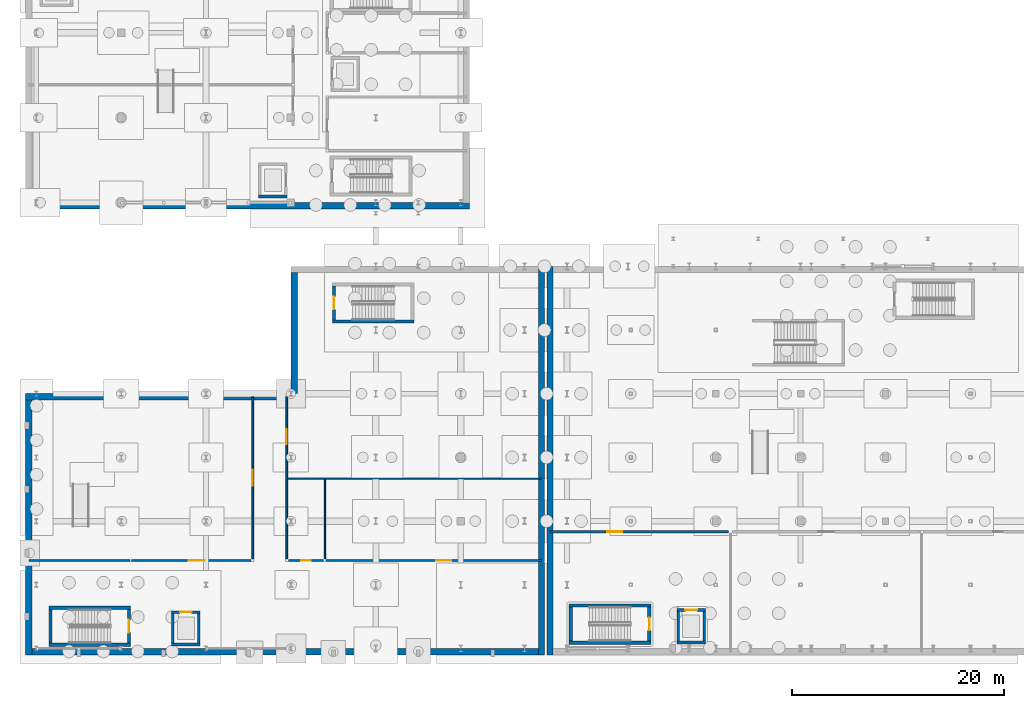
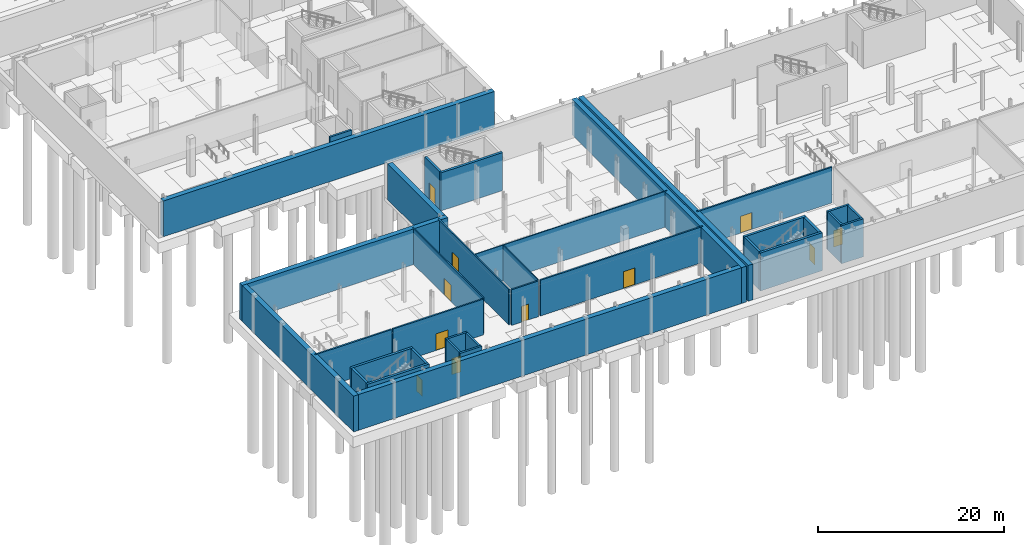
# One storey, part 23 of 47: 35 walls, 11 doors, 11 openings.
"""IFC4 building model written with IfcOpenShell, lengths in metres."""

from ifc_helpers import new_model, si_unit, direction, frame, frame_2d, origin, place, context, subcontext, project, spatial, rectangle, extrude, material, layer, layer_set, type_object, element, fill, save


model = new_model("IFC4")

# Units and contexts
model_context = context("Model", 3, precision=1e-05, world=origin(), true_north=direction((0.0, 1.0)))
body_context = subcontext(model_context, "Body", "Model", "MODEL_VIEW")
ifc_project = project(units=[si_unit("LENGTHUNIT", "METRE"), si_unit("AREAUNIT", "SQUARE_METRE"), si_unit("VOLUMEUNIT", "CUBIC_METRE"), si_unit("PLANEANGLEUNIT", "RADIAN"), si_unit("MASSUNIT", "GRAM", prefix="KILO")], contexts=[model_context])

# Site, building, storey
site_placement = place(None, origin())
site = spatial("IfcSite", under=ifc_project, at=site_placement, CompositionType="ELEMENT")
building_placement = place(site_placement, origin())
building = spatial("IfcBuilding", under=site, at=building_placement, Name="Cymarion Research Institute", CompositionType="ELEMENT")
storey_placement = place(building_placement, frame((0.0, 0.0, -5.0)))
storey = spatial("IfcBuildingStorey", under=building, at=storey_placement, Name="B1", CompositionType="ELEMENT", Elevation=-5.0)

# Walls
ifc_material_1 = material(Name="Concrete C35/45", Category="concrete")
ifc_layer_1 = layer(ifc_material_1, 0.60009765625)
ifc_layer_set_1 = layer_set([ifc_layer_1], Name="Concrete C35/45")
wall_type_1 = type_object("IfcWallType", Name="EXTERIOR WALL EW-RET600 600MM", PredefinedType="SHEAR", material=ifc_layer_set_1)
wall_1_placement = place(storey_placement, frame((55.0, 41.5, 0.0), z_axis=(0.0, 0.0, 1.0), x_axis=(0.0, -1.0, 0.0)))
element("IfcWall", 1, at=wall_1_placement, inside=storey, type_object=wall_type_1, Name="B1 V2 exterior wall EW-RET600 #21", PredefinedType="SHEAR", context=body_context, shape_type="SweptSolid", body=[
    extrude(rectangle(XDim=36.60009765625, YDim=0.60009765625, at=frame_2d((18.300048828125, 0.0))), origin(), (0.0, 0.0, 1.0), 4.699951171875),
])
wall_2_placement = place(storey_placement, frame((6.181884765625, 5.199951171875, 0.0), z_axis=(0.0, 0.0, 1.0), x_axis=(1.0, 0.0, 0.0)))
element("IfcWall", 2, at=wall_2_placement, inside=storey, type_object=wall_type_1, Name="B1 V3 exterior wall EW-RET600 #22", PredefinedType="SHEAR", context=body_context, shape_type="SweptSolid", body=[
    extrude(rectangle(XDim=47.736083984375, YDim=0.60009765625, at=frame_2d((23.8681640625, 0.0))), origin(), (0.0, 0.0, 1.0), 4.699951171875),
])
wall_3_placement = place(storey_placement, frame((54.199951171875, 4.89990234375, 0.0), z_axis=(0.0, 0.0, 1.0), x_axis=(0.0, 1.0, 0.0)))
element("IfcWall", 3, at=wall_3_placement, inside=storey, type_object=wall_type_1, Name="B1 V3 exterior wall EW-RET600 #23", PredefinedType="SHEAR", context=body_context, shape_type="SweptSolid", body=[
    extrude(rectangle(XDim=36.60009765625, YDim=0.60009765625, at=frame_2d((18.300048828125, 0.0))), origin(), (0.0, 0.0, 1.0), 4.699951171875),
])
wall_4_placement = place(storey_placement, frame((30.89990234375, 40.91796875, 0.0), z_axis=(0.0, 0.0, 1.0), x_axis=(0.0, -1.0, 0.0)))
element("IfcWall", 4, at=wall_4_placement, inside=storey, type_object=wall_type_1, Name="B1 V3 exterior wall EW-RET600 #25", PredefinedType="SHEAR", context=body_context, shape_type="SweptSolid", body=[
    extrude(rectangle(XDim=11.41796875, YDim=0.60009765625, at=frame_2d((5.708984375, 0.0))), origin(), (0.0, 0.0, 1.0), 4.699951171875),
])
wall_5_placement = place(storey_placement, frame((31.181884765625, 29.199951171875, 0.0), z_axis=(0.0, 0.0, 1.0), x_axis=(-1.0, 0.0, 0.0)))
element("IfcWall", 5, at=wall_5_placement, inside=storey, type_object=wall_type_1, Name="B1 V3 exterior wall EW-RET600 #26", PredefinedType="SHEAR", context=body_context, shape_type="SweptSolid", body=[
    extrude(rectangle(XDim=25.581787109375, YDim=0.60009765625, at=frame_2d((12.791015625, 0.0))), origin(), (0.0, 0.0, 1.0), 4.699951171875),
])
wall_6_placement = place(storey_placement, frame((5.89990234375, 28.91796875, 0.0), z_axis=(0.0, 0.0, 1.0), x_axis=(0.0, -1.0, 0.0)))
element("IfcWall", 6, at=wall_6_placement, inside=storey, type_object=wall_type_1, Name="B1 V3 exterior wall EW-RET600 #27", PredefinedType="SHEAR", context=body_context, shape_type="SweptSolid", body=[
    extrude(rectangle(XDim=24.01806640625, YDim=0.60009765625, at=frame_2d((12.009033203125, 0.0))), origin(), (0.0, 0.0, 1.0), 4.699951171875),
])
wall_7_placement = place(storey_placement, frame((6.181884765625, 47.199951171875, 0.0), z_axis=(0.0, 0.0, 1.0), x_axis=(1.0, 0.0, 0.0)))
element("IfcWall", 7, at=wall_7_placement, inside=storey, type_object=wall_type_1, Name="B1 V4 exterior wall EW-RET600 #28", PredefinedType="SHEAR", context=body_context, shape_type="SweptSolid", body=[
    extrude(rectangle(XDim=41.218017578125, YDim=0.60009765625, at=frame_2d((20.60888671875, 0.0))), origin(), (0.0, 0.0, 1.0), 4.699951171875),
])

# Wall, opening, door
ifc_material_2 = material(Name="Gypsum acoustic double-stud partition", Category="gypsum")
ifc_layer_2 = layer(ifc_material_2, 0.14990234375)
ifc_layer_set_2 = layer_set([ifc_layer_2], Name="Gypsum acoustic double-stud partition")
wall_type_2 = type_object("IfcWallType", Name="INTERIOR PARTITION IW-AC150 150MM", PredefinedType="PARTITIONING", material=ifc_layer_set_2)
wall_8_placement = place(storey_placement, frame((30.199951171875, 13.93994140625, 0.0), z_axis=(0.0, 0.0, 1.0), x_axis=(0.0, 1.0, 0.0)))
wall_8 = element("IfcWall", 8, at=wall_8_placement, inside=storey, type_object=wall_type_2, Name="B1 V3 interior partition IW-AC150 #22", PredefinedType="PARTITIONING", context=body_context, shape_type="SweptSolid", body=[
    extrude(rectangle(XDim=15.255126953125, YDim=0.14990234375, at=frame_2d((7.62744140625, 0.0))), origin(), (0.0, 0.0, 1.0), 4.699951171875),
])
opening_1_placement = place(wall_8_placement, frame((10.806884765625, 0.0, 0.0)))
opening_1 = element("IfcOpeningElement", 9, at=opening_1_placement, cuts=wall_8, Name="Opening D-B1-020", PredefinedType="OPENING", context=body_context, shape_type="SweptSolid", body=[
    extrude(rectangle(XDim=1.39990234375, YDim=2.199951171875, at=frame_2d((0.699951171875, 1.10009765625))), frame((0.0, 0.0849609375, 0.0), z_axis=(0.0, -1.0, 0.0), x_axis=(1.0, 0.0, 0.0)), (0.0, 0.0, 1.0), 0.169921875),
])
ifc_material_3 = material(Name="Flush acoustic timber/steel door assembly", Category="steel")
door_type_1 = type_object("IfcDoorType", Name="ACOUSTIC PLANT ROOM DOUBLE DOOR DT-PL140 1400X2200", OperationType="DOUBLE_DOOR_SINGLE_SWING", PredefinedType="DOOR", material=ifc_material_3)
door_1_placement = place(opening_1_placement, origin())
door_1 = element("IfcDoor", 10, at=door_1_placement, inside=storey, type_object=door_type_1, Name="B1 B1 V3 Plant door D-B1-020", OperationType="DOUBLE_DOOR_SINGLE_SWING", OverallHeight=2.199951171875, OverallWidth=1.39990234375, PredefinedType="DOOR", context=body_context, shape_type="SweptSolid", body=[
    extrude(rectangle(XDim=1.39990234375, YDim=2.199951171875, at=frame_2d((0.699951171875, 1.10009765625))), frame((0.0, 0.02490234375, 0.0), z_axis=(0.0, -1.0, 0.0), x_axis=(1.0, 0.0, 0.0)), (0.0, 0.0, 1.0), 0.050048828125),
])
fill(opening_1, door_1)

wall_9_placement = place(storey_placement, frame((27.0, 13.93994140625, 0.0), z_axis=(0.0, 0.0, 1.0), x_axis=(0.0, 1.0, 0.0)))
wall_9 = element("IfcWall", 11, at=wall_9_placement, inside=storey, type_object=wall_type_2, Name="B1 V3 interior partition IW-AC150 #23", PredefinedType="PARTITIONING", context=body_context, shape_type="SweptSolid", body=[
    extrude(rectangle(XDim=15.255126953125, YDim=0.14990234375, at=frame_2d((7.62744140625, 0.0))), origin(), (0.0, 0.0, 1.0), 4.699951171875),
])
opening_2_placement = place(wall_9_placement, frame((6.876953125, 0.0, 0.0)))
opening_2 = element("IfcOpeningElement", 12, at=opening_2_placement, cuts=wall_9, Name="Opening D-B1-021", PredefinedType="OPENING", context=body_context, shape_type="SweptSolid", body=[
    extrude(rectangle(XDim=1.5, YDim=2.199951171875, at=frame_2d((0.75, 1.10009765625))), frame((0.0, 0.0849609375, 0.0), z_axis=(0.0, -1.0, 0.0), x_axis=(1.0, 0.0, 0.0)), (0.0, 0.0, 1.0), 0.169921875),
])
door_type_2 = type_object("IfcDoorType", Name="LABORATORY EQUIPMENT DOUBLE DOOR DT-LB150 1500X2200", OperationType="DOUBLE_DOOR_SINGLE_SWING", PredefinedType="DOOR", material=ifc_material_3)
door_2_placement = place(opening_2_placement, origin())
door_2 = element("IfcDoor", 13, at=door_2_placement, inside=storey, type_object=door_type_2, Name="B1 Workshop East door D-B1-021", OperationType="DOUBLE_DOOR_SINGLE_SWING", OverallHeight=2.199951171875, OverallWidth=1.5, PredefinedType="DOOR", context=body_context, shape_type="SweptSolid", body=[
    extrude(rectangle(XDim=1.5, YDim=2.199951171875, at=frame_2d((0.75, 1.10009765625))), frame((0.0, 0.02490234375, 0.0), z_axis=(0.0, -1.0, 0.0), x_axis=(1.0, 0.0, 0.0)), (0.0, 0.0, 1.0), 0.050048828125),
])
fill(opening_2, door_2)

ifc_material_4 = material(Name="Autoclaved aerated masonry block AAC-4", Category="masonry")
ifc_layer_3 = layer(ifc_material_4, 0.199951171875)
ifc_layer_set_3 = layer_set([ifc_layer_3], Name="Autoclaved aerated masonry block AAC-4")
wall_type_3 = type_object("IfcWallType", Name="INTERIOR PARTITION IW-FR200 200MM", PredefinedType="SOLIDWALL", material=ifc_layer_set_3)
wall_10_placement = place(storey_placement, frame((55.0048828125, 16.5, 0.0), z_axis=(0.0, 0.0, 1.0), x_axis=(1.0, 0.0, 0.0)))
wall_10 = element("IfcWall", 14, at=wall_10_placement, inside=storey, type_object=wall_type_3, Name="B1 V2 interior partition IW-FR200 #13", PredefinedType="SOLIDWALL", context=body_context, shape_type="SweptSolid", body=[
    extrude(rectangle(XDim=16.795166015625, YDim=0.199951171875, at=frame_2d((8.3974609375, 0.0))), origin(), (0.0, 0.0, 1.0), 4.699951171875),
])
opening_3_placement = place(wall_10_placement, frame((5.387939453125, 0.0, 0.0)))
opening_3 = element("IfcOpeningElement", 15, at=opening_3_placement, cuts=wall_10, Name="Opening D-B1-014", PredefinedType="OPENING", context=body_context, shape_type="SweptSolid", body=[
    extrude(rectangle(XDim=1.39990234375, YDim=2.199951171875, at=frame_2d((0.699951171875, 1.10009765625))), frame((0.0, 0.10986328125, 0.0), z_axis=(0.0, -1.0, 0.0), x_axis=(1.0, 0.0, 0.0)), (0.0, 0.0, 1.0), 0.219970703125),
])
door_3_placement = place(opening_3_placement, frame((1.39990234375, 0.0, 0.0), z_axis=(0.0, 0.0, 1.0), x_axis=(-1.0, 0.0, 0.0)))
door_3 = element("IfcDoor", 16, at=door_3_placement, inside=storey, type_object=door_type_1, Name="B1 MEP Plant door D-B1-014", OperationType="DOUBLE_DOOR_SINGLE_SWING", OverallHeight=2.199951171875, OverallWidth=1.39990234375, PredefinedType="DOOR", context=body_context, shape_type="SweptSolid", body=[
    extrude(rectangle(XDim=1.39990234375, YDim=2.199951171875, at=frame_2d((0.699951171875, 1.10009765625))), frame((0.0, 0.02490234375, 0.0), z_axis=(0.0, -1.0, 0.0), x_axis=(1.0, 0.0, 0.0)), (0.0, 0.0, 1.0), 0.050048828125),
])
fill(opening_3, door_3)

wall_11_placement = place(storey_placement, frame((15.60009765625, 13.800048828125, 0.0), z_axis=(0.0, 0.0, 1.0), x_axis=(1.0, 0.0, 0.0)))
wall_11 = element("IfcWall", 17, at=wall_11_placement, inside=storey, type_object=wall_type_3, Name="B1 V3 interior partition IW-FR200 #18", PredefinedType="SOLIDWALL", context=body_context, shape_type="SweptSolid", body=[
    extrude(rectangle(XDim=11.25, YDim=0.199951171875, at=frame_2d((5.625, 0.0))), origin(), (0.0, 0.0, 1.0), 4.699951171875),
])
opening_4_placement = place(wall_11_placement, frame((5.363037109375, 0.0, 0.0)))
opening_4 = element("IfcOpeningElement", 18, at=opening_4_placement, cuts=wall_11, Name="Opening D-B1-017", PredefinedType="OPENING", context=body_context, shape_type="SweptSolid", body=[
    extrude(rectangle(XDim=1.5, YDim=2.199951171875, at=frame_2d((0.75, 1.10009765625))), frame((0.0, 0.10986328125, 0.0), z_axis=(0.0, -1.0, 0.0), x_axis=(1.0, 0.0, 0.0)), (0.0, 0.0, 1.0), 0.219970703125),
])
door_4_placement = place(opening_4_placement, origin())
door_4 = element("IfcDoor", 19, at=door_4_placement, inside=storey, type_object=door_type_2, Name="B1 Workshop door D-B1-017", OperationType="DOUBLE_DOOR_SINGLE_SWING", OverallHeight=2.199951171875, OverallWidth=1.5, PredefinedType="DOOR", context=body_context, shape_type="SweptSolid", body=[
    extrude(rectangle(XDim=1.5, YDim=2.199951171875, at=frame_2d((0.75, 1.10009765625))), frame((0.0, 0.02490234375, 0.0), z_axis=(0.0, -1.0, 0.0), x_axis=(1.0, 0.0, 0.0)), (0.0, 0.0, 1.0), 0.050048828125),
])
fill(opening_4, door_4)

wall_12_placement = place(storey_placement, frame((30.35009765625, 13.800048828125, 0.0), z_axis=(0.0, 0.0, 1.0), x_axis=(1.0, 0.0, 0.0)))
wall_12 = element("IfcWall", 20, at=wall_12_placement, inside=storey, type_object=wall_type_3, Name="B1 V3 interior partition IW-FR200 #19", PredefinedType="SOLIDWALL", context=body_context, shape_type="SweptSolid", body=[
    extrude(rectangle(XDim=3.329833984375, YDim=0.199951171875, at=frame_2d((1.6650390625, 0.0))), origin(), (0.0, 0.0, 1.0), 4.699951171875),
])
opening_5_placement = place(wall_12_placement, frame((1.215087890625, 0.0, 0.0)))
opening_5 = element("IfcOpeningElement", 21, at=opening_5_placement, cuts=wall_12, Name="Opening D-B1-018", PredefinedType="OPENING", context=body_context, shape_type="SweptSolid", body=[
    extrude(rectangle(XDim=0.89990234375, YDim=2.10009765625, at=frame_2d((0.449951171875, 1.050048828125))), frame((0.0, 0.10986328125, 0.0), z_axis=(0.0, -1.0, 0.0), x_axis=(1.0, 0.0, 0.0)), (0.0, 0.0, 1.0), 0.219970703125),
])
door_type_3 = type_object("IfcDoorType", Name="ACCESSIBLE RESTROOM DOOR DT-WC090 900X2100", OperationType="NOTDEFINED", PredefinedType="DOOR", material=ifc_material_3)
door_5_placement = place(opening_5_placement, origin())
door_5 = element("IfcDoor", 22, at=door_5_placement, inside=storey, type_object=door_type_3, Name="B1 B1 V3 WC door D-B1-018", OperationType="SINGLE_SWING_LEFT", OverallHeight=2.10009765625, OverallWidth=0.89990234375, PredefinedType="DOOR", context=body_context, shape_type="SweptSolid", body=[
    extrude(rectangle(XDim=0.89990234375, YDim=2.10009765625, at=frame_2d((0.449951171875, 1.050048828125))), frame((0.0, 0.02490234375, 0.0), z_axis=(0.0, -1.0, 0.0), x_axis=(1.0, 0.0, 0.0)), (0.0, 0.0, 1.0), 0.050048828125),
])
fill(opening_5, door_5)

wall_13_placement = place(storey_placement, frame((33.919921875, 13.800048828125, 0.0), z_axis=(0.0, 0.0, 1.0), x_axis=(1.0, 0.0, 0.0)))
wall_13 = element("IfcWall", 23, at=wall_13_placement, inside=storey, type_object=wall_type_3, Name="B1 V3 interior partition IW-FR200 #20", PredefinedType="SOLIDWALL", context=body_context, shape_type="SweptSolid", body=[
    extrude(rectangle(XDim=20.275146484375, YDim=0.199951171875, at=frame_2d((10.1376953125, 0.0))), origin(), (0.0, 0.0, 1.0), 4.699951171875),
])
opening_6_placement = place(wall_13_placement, frame((10.381103515625, 0.0, 0.0)))
opening_6 = element("IfcOpeningElement", 24, at=opening_6_placement, cuts=wall_13, Name="Opening D-B1-019", PredefinedType="OPENING", context=body_context, shape_type="SweptSolid", body=[
    extrude(rectangle(XDim=1.39990234375, YDim=2.199951171875, at=frame_2d((0.699951171875, 1.10009765625))), frame((0.0, 0.10986328125, 0.0), z_axis=(0.0, -1.0, 0.0), x_axis=(1.0, 0.0, 0.0)), (0.0, 0.0, 1.0), 0.219970703125),
])
door_6_placement = place(opening_6_placement, origin())
door_6 = element("IfcDoor", 25, at=door_6_placement, inside=storey, type_object=door_type_1, Name="B1 Stage Trap door D-B1-019", OperationType="DOUBLE_DOOR_SINGLE_SWING", OverallHeight=2.199951171875, OverallWidth=1.39990234375, PredefinedType="DOOR", context=body_context, shape_type="SweptSolid", body=[
    extrude(rectangle(XDim=1.39990234375, YDim=2.199951171875, at=frame_2d((0.699951171875, 1.10009765625))), frame((0.0, 0.02490234375, 0.0), z_axis=(0.0, -1.0, 0.0), x_axis=(1.0, 0.0, 0.0)), (0.0, 0.0, 1.0), 0.050048828125),
])
fill(opening_6, door_6)

# Walls
wall_14_placement = place(storey_placement, frame((5.905029296875, 13.800048828125, 0.0), z_axis=(0.0, 0.0, 1.0), x_axis=(1.0, 0.0, 0.0)))
element("IfcWall", 26, at=wall_14_placement, inside=storey, type_object=wall_type_3, Name="B1 V3 interior partition IW-FR200 #21", PredefinedType="SOLIDWALL", context=body_context, shape_type="SweptSolid", body=[
    extrude(rectangle(XDim=9.544921875, YDim=0.199951171875, at=frame_2d((4.7724609375, 0.0))), origin(), (0.0, 0.0, 1.0), 4.699951171875),
])
ifc_material_5 = material(Name="Service riser shaft wall", Category="gypsum")
ifc_layer_4 = layer(ifc_material_5, 0.1201171875)
ifc_layer_set_4 = layer_set([ifc_layer_4], Name="Service riser shaft wall")
wall_type_4 = type_object("IfcWallType", Name="INTERIOR PARTITION IW-SH120 120MM", PredefinedType="PARTITIONING", material=ifc_layer_set_4)
wall_15_placement = place(storey_placement, frame((30.35009765625, 21.5, 0.0), z_axis=(0.0, 0.0, 1.0), x_axis=(1.0, 0.0, 0.0)))
element("IfcWall", 27, at=wall_15_placement, inside=storey, type_object=wall_type_4, Name="B1 V3 interior partition IW-SH120 #16", PredefinedType="PARTITIONING", context=body_context, shape_type="SweptSolid", body=[
    extrude(rectangle(XDim=23.844970703125, YDim=0.1201171875, at=frame_2d((11.92236328125, 0.0))), origin(), (0.0, 0.0, 1.0), 4.699951171875),
])
wall_16_placement = place(storey_placement, frame((33.800048828125, 13.93994140625, 0.0), z_axis=(0.0, 0.0, 1.0), x_axis=(0.0, 1.0, 0.0)))
element("IfcWall", 28, at=wall_16_placement, inside=storey, type_object=wall_type_4, Name="B1 V3 interior partition IW-SH120 #17", PredefinedType="PARTITIONING", context=body_context, shape_type="SweptSolid", body=[
    extrude(rectangle(XDim=7.43994140625, YDim=0.1201171875, at=frame_2d((3.719970703125, 0.0))), origin(), (0.0, 0.0, 1.0), 4.699951171875),
])
ifc_material_6 = material(Name="Concrete C40/50", Category="concrete")
ifc_layer_5 = layer(ifc_material_6, 0.25)
ifc_layer_set_5 = layer_set([ifc_layer_5], Name="Concrete C40/50")
wall_type_5 = type_object("IfcWallType", Name="REINFORCED CONCRETE CORE WALL CW-SH250 250MM", PredefinedType="SHEAR", material=ifc_layer_set_5)
wall_17_placement = place(storey_placement, frame((66.949951171875, 6.074951171875, 0.0), z_axis=(0.0, 0.0, 1.0), x_axis=(1.0, 0.0, 0.0)))
element("IfcWall", 29, at=wall_17_placement, inside=storey, type_object=wall_type_5, Name="B1 LSH-LP2-B1 south core wall", PredefinedType="SHEAR", context=body_context, shape_type="SweptSolid", body=[
    extrude(rectangle(XDim=2.699951171875, YDim=0.25, at=frame_2d((1.35009765625, 0.0))), origin(), (0.0, 0.0, 1.0), 5.0),
])

# Wall, opening, door
wall_18_placement = place(storey_placement, frame((69.64990234375, 9.125, 0.0), z_axis=(0.0, 0.0, 1.0), x_axis=(-1.0, 0.0, 0.0)))
wall_18 = element("IfcWall", 30, at=wall_18_placement, inside=storey, type_object=wall_type_5, Name="B1 LSH-LP2-B1 north core wall", PredefinedType="SHEAR", context=body_context, shape_type="SweptSolid", body=[
    extrude(rectangle(XDim=2.699951171875, YDim=0.25, at=frame_2d((1.35009765625, 0.0))), origin(), (0.0, 0.0, 1.0), 5.0),
])
opening_7_placement = place(wall_18_placement, frame((0.800048828125, 0.0, 0.0)))
opening_7 = element("IfcOpeningElement", 31, at=opening_7_placement, cuts=wall_18, Name="Opening LD-LP2-B1", PredefinedType="OPENING", context=body_context, shape_type="SweptSolid", body=[
    extrude(rectangle(XDim=1.10009765625, YDim=2.14990234375, at=frame_2d((0.550048828125, 1.074951171875))), frame((0.0, 0.135009765625, 0.0), z_axis=(0.0, -1.0, 0.0), x_axis=(1.0, 0.0, 0.0)), (0.0, 0.0, 1.0), 0.27001953125),
])
ifc_material_7 = material(Name="Fire-rated insulated steel door assembly", Category="steel")
door_type_4 = type_object("IfcDoorType", Name="SLIDING LIFT LANDING DOOR DT-LD110 1100X2150", OperationType="DOUBLE_DOOR_SLIDING", PredefinedType="DOOR", material=ifc_material_7)
door_7_placement = place(opening_7_placement, origin())
door_7 = element("IfcDoor", 32, at=door_7_placement, inside=storey, type_object=door_type_4, Name="Lift LP2 landing door B1", OperationType="DOUBLE_DOOR_SLIDING", OverallHeight=2.14990234375, OverallWidth=1.10009765625, PredefinedType="DOOR", context=body_context, shape_type="SweptSolid", body=[
    extrude(rectangle(XDim=1.10009765625, YDim=2.14990234375, at=frame_2d((0.550048828125, 1.074951171875))), frame((0.0, 0.02490234375, 0.0), z_axis=(0.0, -1.0, 0.0), x_axis=(1.0, 0.0, 0.0)), (0.0, 0.0, 1.0), 0.050048828125),
])
fill(opening_7, door_7)

# Walls
for number, where, z_axis, x_axis, name in (
    (33, (67.074951171875, 9.0, 0.0), (0.0, 0.0, 1.0), (0.0, -1.0, 0.0), "B1 LSH-LP2-B1 west core wall"),
    (34, (69.52490234375, 6.199951171875, 0.0), (0.0, 0.0, 1.0), (0.0, 1.0, 0.0), "B1 LSH-LP2-B1 east core wall"),
):
    element("IfcWall", number, at=place(storey_placement, frame(where, z_axis=z_axis, x_axis=x_axis)), inside=storey, type_object=wall_type_5, Name=name, PredefinedType="SHEAR", context=body_context, shape_type="SweptSolid", body=[
        extrude(rectangle(XDim=2.800048828125, YDim=0.25, at=frame_2d((1.39990234375, 0.0))), origin(), (0.0, 0.0, 1.0), 5.0),
    ])
wall_19_placement = place(storey_placement, frame((19.35009765625, 5.875, 0.0), z_axis=(0.0, 0.0, 1.0), x_axis=(1.0, 0.0, 0.0)))
element("IfcWall", 35, at=wall_19_placement, inside=storey, type_object=wall_type_5, Name="B1 LSH-LP3-B1 south core wall", PredefinedType="SHEAR", context=body_context, shape_type="SweptSolid", body=[
    extrude(rectangle(XDim=2.699951171875, YDim=0.25, at=frame_2d((1.35009765625, 0.0))), origin(), (0.0, 0.0, 1.0), 5.0),
])

# Wall, opening, door
wall_20_placement = place(storey_placement, frame((22.050048828125, 8.925048828125, 0.0), z_axis=(0.0, 0.0, 1.0), x_axis=(-1.0, 0.0, 0.0)))
wall_20 = element("IfcWall", 36, at=wall_20_placement, inside=storey, type_object=wall_type_5, Name="B1 LSH-LP3-B1 north core wall", PredefinedType="SHEAR", context=body_context, shape_type="SweptSolid", body=[
    extrude(rectangle(XDim=2.699951171875, YDim=0.25, at=frame_2d((1.35009765625, 0.0))), origin(), (0.0, 0.0, 1.0), 5.0),
])
opening_8_placement = place(wall_20_placement, frame((0.800048828125, 0.0, 0.0)))
opening_8 = element("IfcOpeningElement", 37, at=opening_8_placement, cuts=wall_20, Name="Opening LD-LP3-B1", PredefinedType="OPENING", context=body_context, shape_type="SweptSolid", body=[
    extrude(rectangle(XDim=1.10009765625, YDim=2.14990234375, at=frame_2d((0.550048828125, 1.074951171875))), frame((0.0, 0.135009765625, 0.0), z_axis=(0.0, -1.0, 0.0), x_axis=(1.0, 0.0, 0.0)), (0.0, 0.0, 1.0), 0.27001953125),
])
door_8_placement = place(opening_8_placement, origin())
door_8 = element("IfcDoor", 38, at=door_8_placement, inside=storey, type_object=door_type_4, Name="Lift LP3 landing door B1", OperationType="DOUBLE_DOOR_SLIDING", OverallHeight=2.14990234375, OverallWidth=1.10009765625, PredefinedType="DOOR", context=body_context, shape_type="SweptSolid", body=[
    extrude(rectangle(XDim=1.10009765625, YDim=2.14990234375, at=frame_2d((0.550048828125, 1.074951171875))), frame((0.0, 0.02490234375, 0.0), z_axis=(0.0, -1.0, 0.0), x_axis=(1.0, 0.0, 0.0)), (0.0, 0.0, 1.0), 0.050048828125),
])
fill(opening_8, door_8)

# Walls
for number, where, z_axis, x_axis, name in (
    (39, (19.47509765625, 8.800048828125, 0.0), (0.0, 0.0, 1.0), (0.0, -1.0, 0.0), "B1 LSH-LP3-B1 west core wall"),
    (40, (21.925048828125, 6.0, 0.0), (0.0, 0.0, 1.0), (0.0, 1.0, 0.0), "B1 LSH-LP3-B1 east core wall"),
):
    element("IfcWall", number, at=place(storey_placement, frame(where, z_axis=z_axis, x_axis=x_axis)), inside=storey, type_object=wall_type_5, Name=name, PredefinedType="SHEAR", context=body_context, shape_type="SweptSolid", body=[
        extrude(rectangle(XDim=2.800048828125, YDim=0.25, at=frame_2d((1.39990234375, 0.0))), origin(), (0.0, 0.0, 1.0), 5.0),
    ])
wall_21_placement = place(storey_placement, frame((27.550048828125, 48.074951171875, 0.0), z_axis=(0.0, 0.0, 1.0), x_axis=(1.0, 0.0, 0.0)))
element("IfcWall", 41, at=wall_21_placement, inside=storey, type_object=wall_type_5, Name="B1 LSH-LP1-B1 south core wall", PredefinedType="SHEAR", context=body_context, shape_type="SweptSolid", body=[
    extrude(rectangle(XDim=2.699951171875, YDim=0.25, at=frame_2d((1.35009765625, 0.0))), origin(), (0.0, 0.0, 1.0), 5.0),
])
ifc_layer_6 = layer(ifc_material_6, 0.300048828125)
ifc_layer_set_6 = layer_set([ifc_layer_6], Name="Concrete C40/50")
wall_type_6 = type_object("IfcWallType", Name="REINFORCED CONCRETE CORE WALL CW-SH300 300MM", PredefinedType="SHEAR", material=ifc_layer_set_6)
for number, where, z_axis, x_axis, name in (
    (42, (56.800048828125, 6.050048828125, 0.0), (0.0, 0.0, 1.0), (1.0, 0.0, 0.0), "B1 SHW-C3-B1 south core wall"),
    (43, (64.5, 9.550048828125, 0.0), (0.0, 0.0, 1.0), (-1.0, 0.0, 0.0), "B1 SHW-C3-B1 north core wall"),
):
    element("IfcWall", number, at=place(storey_placement, frame(where, z_axis=z_axis, x_axis=x_axis)), inside=storey, type_object=wall_type_6, Name=name, PredefinedType="SHEAR", context=body_context, shape_type="SweptSolid", body=[
        extrude(rectangle(XDim=7.699951171875, YDim=0.300048828125, at=frame_2d((3.85009765625, 0.0))), origin(), (0.0, 0.0, 1.0), 5.0),
    ])
wall_22_placement = place(storey_placement, frame((56.949951171875, 9.39990234375, 0.0), z_axis=(0.0, 0.0, 1.0), x_axis=(0.0, -1.0, 0.0)))
element("IfcWall", 44, at=wall_22_placement, inside=storey, type_object=wall_type_6, Name="B1 SHW-C3-B1 west core wall", PredefinedType="SHEAR", context=body_context, shape_type="SweptSolid", body=[
    extrude(rectangle(XDim=3.199951171875, YDim=0.300048828125, at=frame_2d((1.60009765625, 0.0))), origin(), (0.0, 0.0, 1.0), 5.0),
])

# Wall, opening, door
wall_23_placement = place(storey_placement, frame((64.35009765625, 6.199951171875, 0.0), z_axis=(0.0, 0.0, 1.0), x_axis=(0.0, 1.0, 0.0)))
wall_23 = element("IfcWall", 45, at=wall_23_placement, inside=storey, type_object=wall_type_6, Name="B1 SHW-C3-B1 east core wall", PredefinedType="SHEAR", context=body_context, shape_type="SweptSolid", body=[
    extrude(rectangle(XDim=3.199951171875, YDim=0.300048828125, at=frame_2d((1.60009765625, 0.0))), origin(), (0.0, 0.0, 1.0), 5.0),
])
opening_9_placement = place(wall_23_placement, frame((1.0, 0.0, 0.0)))
opening_9 = element("IfcOpeningElement", 46, at=opening_9_placement, cuts=wall_23, Name="Opening FD-B1-ST3", PredefinedType="OPENING", context=body_context, shape_type="SweptSolid", body=[
    extrude(rectangle(XDim=1.199951171875, YDim=2.14990234375, at=frame_2d((0.60009765625, 1.074951171875))), frame((0.0, 0.159912109375, 0.0), z_axis=(0.0, -1.0, 0.0), x_axis=(1.0, 0.0, 0.0)), (0.0, 0.0, 1.0), 0.320068359375),
])
door_type_5 = type_object("IfcDoorType", Name="SMOKE PROOF STAIR FIRE DOOR DT-ST120 1200X2150", OperationType="NOTDEFINED", PredefinedType="DOOR", material=ifc_material_7)
door_9_placement = place(opening_9_placement, origin())
door_9 = element("IfcDoor", 47, at=door_9_placement, inside=storey, type_object=door_type_5, Name="B1 ST3 smoke-proof stair door FD-B1-ST3", OperationType="SINGLE_SWING_LEFT", OverallHeight=2.14990234375, OverallWidth=1.199951171875, PredefinedType="DOOR", context=body_context, shape_type="SweptSolid", body=[
    extrude(rectangle(XDim=1.199951171875, YDim=2.14990234375, at=frame_2d((0.60009765625, 1.074951171875))), frame((0.0, 0.02490234375, 0.0), z_axis=(0.0, -1.0, 0.0), x_axis=(1.0, 0.0, 0.0)), (0.0, 0.0, 1.0), 0.050048828125),
])
fill(opening_9, door_9)

# Walls
for number, where, z_axis, x_axis, name in (
    (48, (7.800048828125, 5.85009765625, 0.0), (0.0, 0.0, 1.0), (1.0, 0.0, 0.0), "B1 SHW-C5-B1 south core wall"),
    (49, (15.5, 9.35009765625, 0.0), (0.0, 0.0, 1.0), (-1.0, 0.0, 0.0), "B1 SHW-C5-B1 north core wall"),
):
    element("IfcWall", number, at=place(storey_placement, frame(where, z_axis=z_axis, x_axis=x_axis)), inside=storey, type_object=wall_type_6, Name=name, PredefinedType="SHEAR", context=body_context, shape_type="SweptSolid", body=[
        extrude(rectangle(XDim=7.699951171875, YDim=0.300048828125, at=frame_2d((3.85009765625, 0.0))), origin(), (0.0, 0.0, 1.0), 5.0),
    ])
wall_24_placement = place(storey_placement, frame((7.949951171875, 9.199951171875, 0.0), z_axis=(0.0, 0.0, 1.0), x_axis=(0.0, -1.0, 0.0)))
element("IfcWall", 50, at=wall_24_placement, inside=storey, type_object=wall_type_6, Name="B1 SHW-C5-B1 west core wall", PredefinedType="SHEAR", context=body_context, shape_type="SweptSolid", body=[
    extrude(rectangle(XDim=3.199951171875, YDim=0.300048828125, at=frame_2d((1.60009765625, 0.0))), origin(), (0.0, 0.0, 1.0), 5.0),
])

# Wall, opening, door
wall_25_placement = place(storey_placement, frame((15.35009765625, 6.0, 0.0), z_axis=(0.0, 0.0, 1.0), x_axis=(0.0, 1.0, 0.0)))
wall_25 = element("IfcWall", 51, at=wall_25_placement, inside=storey, type_object=wall_type_6, Name="B1 SHW-C5-B1 east core wall", PredefinedType="SHEAR", context=body_context, shape_type="SweptSolid", body=[
    extrude(rectangle(XDim=3.199951171875, YDim=0.300048828125, at=frame_2d((1.60009765625, 0.0))), origin(), (0.0, 0.0, 1.0), 5.0),
])
opening_10_placement = place(wall_25_placement, frame((1.0, 0.0, 0.0)))
opening_10 = element("IfcOpeningElement", 52, at=opening_10_placement, cuts=wall_25, Name="Opening FD-B1-ST5", PredefinedType="OPENING", context=body_context, shape_type="SweptSolid", body=[
    extrude(rectangle(XDim=1.199951171875, YDim=2.14990234375, at=frame_2d((0.60009765625, 1.074951171875))), frame((0.0, 0.159912109375, 0.0), z_axis=(0.0, -1.0, 0.0), x_axis=(1.0, 0.0, 0.0)), (0.0, 0.0, 1.0), 0.320068359375),
])
door_10_placement = place(opening_10_placement, origin())
door_10 = element("IfcDoor", 53, at=door_10_placement, inside=storey, type_object=door_type_5, Name="B1 ST5 smoke-proof stair door FD-B1-ST5", OperationType="SINGLE_SWING_LEFT", OverallHeight=2.14990234375, OverallWidth=1.199951171875, PredefinedType="DOOR", context=body_context, shape_type="SweptSolid", body=[
    extrude(rectangle(XDim=1.199951171875, YDim=2.14990234375, at=frame_2d((0.60009765625, 1.074951171875))), frame((0.0, 0.02490234375, 0.0), z_axis=(0.0, -1.0, 0.0), x_axis=(1.0, 0.0, 0.0)), (0.0, 0.0, 1.0), 0.050048828125),
])
fill(opening_10, door_10)

# Wall
wall_26_placement = place(storey_placement, frame((34.5, 36.300048828125, 0.0), z_axis=(0.0, 0.0, 1.0), x_axis=(1.0, 0.0, 0.0)))
element("IfcWall", 54, at=wall_26_placement, inside=storey, type_object=wall_type_6, Name="B1 SHW-C6-B1 south core wall", PredefinedType="SHEAR", context=body_context, shape_type="SweptSolid", body=[
    extrude(rectangle(XDim=7.699951171875, YDim=0.300048828125, at=frame_2d((3.85009765625, 0.0))), origin(), (0.0, 0.0, 1.0), 5.0),
])

# Wall, opening, door
wall_27_placement = place(storey_placement, frame((34.64990234375, 39.64990234375, 0.0), z_axis=(0.0, 0.0, 1.0), x_axis=(0.0, -1.0, 0.0)))
wall_27 = element("IfcWall", 55, at=wall_27_placement, inside=storey, type_object=wall_type_6, Name="B1 SHW-C6-B1 west core wall", PredefinedType="SHEAR", context=body_context, shape_type="SweptSolid", body=[
    extrude(rectangle(XDim=3.199951171875, YDim=0.300048828125, at=frame_2d((1.60009765625, 0.0))), origin(), (0.0, 0.0, 1.0), 5.0),
])
opening_11_placement = place(wall_27_placement, frame((1.0, 0.0, 0.0)))
opening_11 = element("IfcOpeningElement", 56, at=opening_11_placement, cuts=wall_27, Name="Opening FD-B1-ST6", PredefinedType="OPENING", context=body_context, shape_type="SweptSolid", body=[
    extrude(rectangle(XDim=1.199951171875, YDim=2.14990234375, at=frame_2d((0.60009765625, 1.074951171875))), frame((0.0, 0.159912109375, 0.0), z_axis=(0.0, -1.0, 0.0), x_axis=(1.0, 0.0, 0.0)), (0.0, 0.0, 1.0), 0.320068359375),
])
door_11_placement = place(opening_11_placement, origin())
door_11 = element("IfcDoor", 57, at=door_11_placement, inside=storey, type_object=door_type_5, Name="B1 ST6 smoke-proof stair door FD-B1-ST6", OperationType="SINGLE_SWING_RIGHT", OverallHeight=2.14990234375, OverallWidth=1.199951171875, PredefinedType="DOOR", context=body_context, shape_type="SweptSolid", body=[
    extrude(rectangle(XDim=1.199951171875, YDim=2.14990234375, at=frame_2d((0.60009765625, 1.074951171875))), frame((0.0, 0.02490234375, 0.0), z_axis=(0.0, -1.0, 0.0), x_axis=(1.0, 0.0, 0.0)), (0.0, 0.0, 1.0), 0.050048828125),
])
fill(opening_11, door_11)

save(model, "model.ifc")
